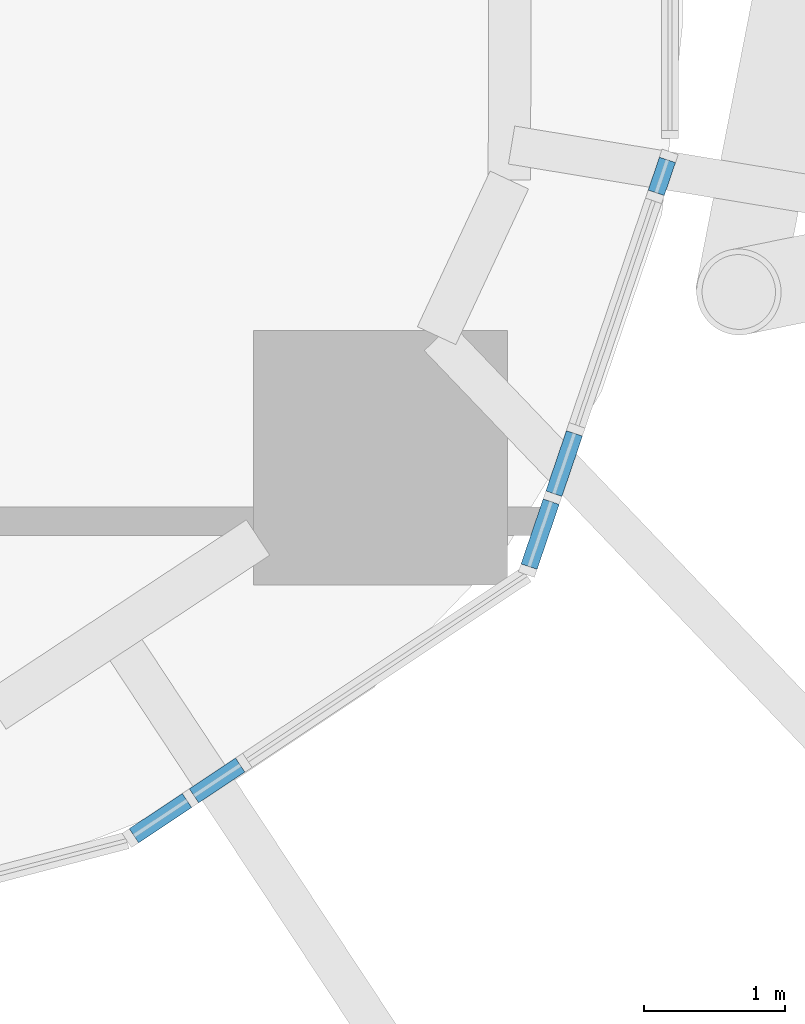
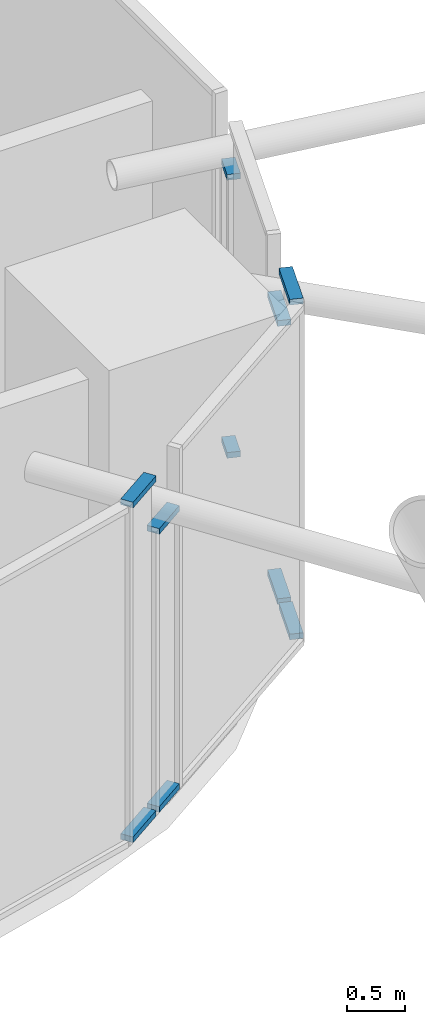
# One storey, part 17 of 36: 10 members, 5 elements without a shape of their own.
"""IFC4 building model written with IfcOpenShell, lengths in metres."""

from ifc_helpers import new_model, si_unit, direction, frame, origin, origin_2d, place, context, subcontext, project, spatial, rectangle, extrude, material, layer, layer_set, material_profile, profile_set, type_object, element, aggregate, save


model = new_model("IFC4")

# Units and contexts
model_context = context("Model", 3, precision=1e-05, world=origin(), true_north=direction((0.0, 1.0)))
body_context = subcontext(model_context, "Body", "Model", "MODEL_VIEW")
ifc_project = project(units=[si_unit("LENGTHUNIT", "METRE"), si_unit("AREAUNIT", "SQUARE_METRE"), si_unit("VOLUMEUNIT", "CUBIC_METRE"), si_unit("PLANEANGLEUNIT", "RADIAN"), si_unit("MASSUNIT", "GRAM", prefix="KILO")], contexts=[model_context])

# Site, building, storey
site_placement = place(None, origin())
site = spatial("IfcSite", under=ifc_project, at=site_placement, CompositionType="ELEMENT")
building_placement = place(site_placement, origin())
building = spatial("IfcBuilding", under=site, at=building_placement, Name="Marenta Gate Hotel Tower", CompositionType="ELEMENT")
storey_placement = place(building_placement, frame((0.0, 0.0, 83.300048828125)))
storey = spatial("IfcBuildingStorey", under=building, at=storey_placement, Name="L19", CompositionType="ELEMENT", Elevation=83.300048828125)

# Curtain wall, members
ifc_material_1 = material(Name="Tinted insulated glass in bronze anodised frame", Category="glass")
ifc_layer = layer(ifc_material_1, 0.1201171875)
ifc_layer_set = layer_set([ifc_layer], Name="Tinted insulated glass in bronze anodised frame")
curtain_wall_type = type_object("IfcCurtainWallType", Name="Tower unitised curtain wall CW1", PredefinedType="NOTDEFINED", material=ifc_layer_set)
curtain_wall_1_placement = place(storey_placement, origin())
curtain_wall_1 = element("IfcCurtainWall", 1, at=curtain_wall_1_placement, inside=storey, type_object=curtain_wall_type, Name="CW1 run G25", PredefinedType="NOTDEFINED")
ifc_material_2 = material(Name="Bronze anodised aluminium", Category="aluminium")
ifc_material_profile = material_profile(ifc_material_2, rectangle(XDim=0.1201171875, YDim=0.06005859375, at=origin_2d()), Name="Transom CW1 60x120 bronze anodised aluminium")
ifc_profile_set = profile_set([ifc_material_profile], Name="Bronze anodised aluminium")
member_type = type_object("IfcMemberType", Name="Transom CW1 60x120 bronze anodised aluminium", PredefinedType="USERDEFINED", material=ifc_profile_set)
member_1_placement = place(storey_placement, frame((25.617431640625, -14.6103515625, 0.030029296875), z_axis=(0.832549312002, 0.55395093924, 0.0), x_axis=(-0.55395093924, 0.832549312002, 0.0)))
member_1 = element("IfcMember", 2, at=member_1_placement, type_object=member_type, Name="CW1 transom 1.1", ObjectType="TRANSOM", PredefinedType="USERDEFINED", context=body_context, shape_type="SweptSolid", body=[
    extrude(rectangle(XDim=0.1201171875, YDim=0.06005859375, at=origin_2d()), origin(), (0.0, 0.0, 1.0), 0.451416015625),
])
member_2_placement = place(storey_placement, frame((25.617431640625, -14.6103515625, 3.570068359375), z_axis=(0.832549312002, 0.55395093924, 0.0), x_axis=(-0.55395093924, 0.832549312002, 0.0)))
member_2 = element("IfcMember", 3, at=member_2_placement, type_object=member_type, Name="CW1 transom 1.2", ObjectType="TRANSOM", PredefinedType="USERDEFINED", context=body_context, shape_type="SweptSolid", body=[
    extrude(rectangle(XDim=0.1201171875, YDim=0.06005859375, at=origin_2d()), origin(), (0.0, 0.0, 1.0), 0.451416015625),
])
aggregate(curtain_wall_1, [member_1, member_2])

curtain_wall_2_placement = place(storey_placement, origin())
curtain_wall_2 = element("IfcCurtainWall", 4, at=curtain_wall_2_placement, inside=storey, type_object=curtain_wall_type, Name="CW1 run G26", PredefinedType="NOTDEFINED")
member_3_placement = place(storey_placement, frame((26.04296875, -14.3271484375, 0.030029296875), z_axis=(0.832432384861, 0.55412663231, 0.0), x_axis=(-0.55412663231, 0.832432384861, 0.0)))
member_3 = element("IfcMember", 5, at=member_3_placement, type_object=member_type, Name="CW1 transom 1.1", ObjectType="TRANSOM", PredefinedType="USERDEFINED", context=body_context, shape_type="SweptSolid", body=[
    extrude(rectangle(XDim=0.1201171875, YDim=0.06005859375, at=origin_2d()), origin(), (0.0, 0.0, 1.0), 0.39306640625),
])
member_4_placement = place(storey_placement, frame((26.04296875, -14.3271484375, 2.970458984375), z_axis=(0.832432384861, 0.55412663231, 0.0), x_axis=(-0.55412663231, 0.832432384861, 0.0)))
member_4 = element("IfcMember", 6, at=member_4_placement, type_object=member_type, Name="CW1 transom 1.2", ObjectType="TRANSOM", PredefinedType="USERDEFINED", context=body_context, shape_type="SweptSolid", body=[
    extrude(rectangle(XDim=0.1201171875, YDim=0.06005859375, at=origin_2d()), origin(), (0.0, 0.0, 1.0), 0.39306640625),
])
aggregate(curtain_wall_2, [member_3, member_4])

curtain_wall_3_placement = place(storey_placement, origin())
curtain_wall_3 = element("IfcCurtainWall", 7, at=curtain_wall_3_placement, inside=storey, type_object=curtain_wall_type, Name="CW1 run G28", PredefinedType="NOTDEFINED")
member_5_placement = place(storey_placement, frame((28.4150390625, -12.70458984375, 0.030029296875), z_axis=(0.322254212139, 0.946653169201, 0.0), x_axis=(-0.946653169201, 0.322254212139, 0.0)))
member_5 = element("IfcMember", 8, at=member_5_placement, type_object=member_type, Name="CW1 transom 1.1", ObjectType="TRANSOM", PredefinedType="USERDEFINED", context=body_context, shape_type="SweptSolid", body=[
    extrude(rectangle(XDim=0.1201171875, YDim=0.06005859375, at=origin_2d()), origin(), (0.0, 0.0, 1.0), 0.485595703125),
])
member_6_placement = place(storey_placement, frame((28.4150390625, -12.70458984375, 3.570068359375), z_axis=(0.322254212139, 0.946653169201, 0.0), x_axis=(-0.946653169201, 0.322254212139, 0.0)))
member_6 = element("IfcMember", 9, at=member_6_placement, type_object=member_type, Name="CW1 transom 1.2", ObjectType="TRANSOM", PredefinedType="USERDEFINED", context=body_context, shape_type="SweptSolid", body=[
    extrude(rectangle(XDim=0.1201171875, YDim=0.06005859375, at=origin_2d()), origin(), (0.0, 0.0, 1.0), 0.485595703125),
])
aggregate(curtain_wall_3, [member_5, member_6])

curtain_wall_4_placement = place(storey_placement, origin())
curtain_wall_4 = element("IfcCurtainWall", 10, at=curtain_wall_4_placement, inside=storey, type_object=curtain_wall_type, Name="CW1 run G29", PredefinedType="NOTDEFINED")
member_7_placement = place(storey_placement, frame((28.5908203125, -12.18798828125, 0.030029296875), z_axis=(0.322398101916, 0.94660417487, 0.0), x_axis=(-0.94660417487, 0.322398101916, 0.0)))
member_7 = element("IfcMember", 11, at=member_7_placement, type_object=member_type, Name="CW1 transom 1.1", ObjectType="TRANSOM", PredefinedType="USERDEFINED", context=body_context, shape_type="SweptSolid", body=[
    extrude(rectangle(XDim=0.1201171875, YDim=0.06005859375, at=origin_2d()), origin(), (0.0, 0.0, 1.0), 0.45068359375),
])
member_8_placement = place(storey_placement, frame((28.5908203125, -12.18798828125, 2.970458984375), z_axis=(0.322398101916, 0.94660417487, 0.0), x_axis=(-0.94660417487, 0.322398101916, 0.0)))
member_8 = element("IfcMember", 12, at=member_8_placement, type_object=member_type, Name="CW1 transom 1.2", ObjectType="TRANSOM", PredefinedType="USERDEFINED", context=body_context, shape_type="SweptSolid", body=[
    extrude(rectangle(XDim=0.1201171875, YDim=0.06005859375, at=origin_2d()), origin(), (0.0, 0.0, 1.0), 0.45068359375),
])
aggregate(curtain_wall_4, [member_7, member_8])

curtain_wall_5_placement = place(storey_placement, origin())
curtain_wall_5 = element("IfcCurtainWall", 13, at=curtain_wall_5_placement, inside=storey, type_object=curtain_wall_type, Name="CW1 run G31", PredefinedType="NOTDEFINED")
member_9_placement = place(storey_placement, frame((29.3154296875, -10.057861328125, 0.030029296875), z_axis=(0.322169291866, 0.946682073021, 0.0), x_axis=(-0.946682073021, 0.322169291866, 0.0)))
member_9 = element("IfcMember", 14, at=member_9_placement, type_object=member_type, Name="CW1 transom 1.1", ObjectType="TRANSOM", PredefinedType="USERDEFINED", context=body_context, shape_type="SweptSolid", body=[
    extrude(rectangle(XDim=0.1201171875, YDim=0.06005859375, at=origin_2d()), origin(), (0.0, 0.0, 1.0), 0.246337890625),
])
member_10_placement = place(storey_placement, frame((29.3154296875, -10.057861328125, 2.970458984375), z_axis=(0.322169291866, 0.946682073021, 0.0), x_axis=(-0.946682073021, 0.322169291866, 0.0)))
member_10 = element("IfcMember", 15, at=member_10_placement, type_object=member_type, Name="CW1 transom 1.2", ObjectType="TRANSOM", PredefinedType="USERDEFINED", context=body_context, shape_type="SweptSolid", body=[
    extrude(rectangle(XDim=0.1201171875, YDim=0.06005859375, at=origin_2d()), origin(), (0.0, 0.0, 1.0), 0.246337890625),
])
aggregate(curtain_wall_5, [member_9, member_10])

save(model, "model.ifc")
